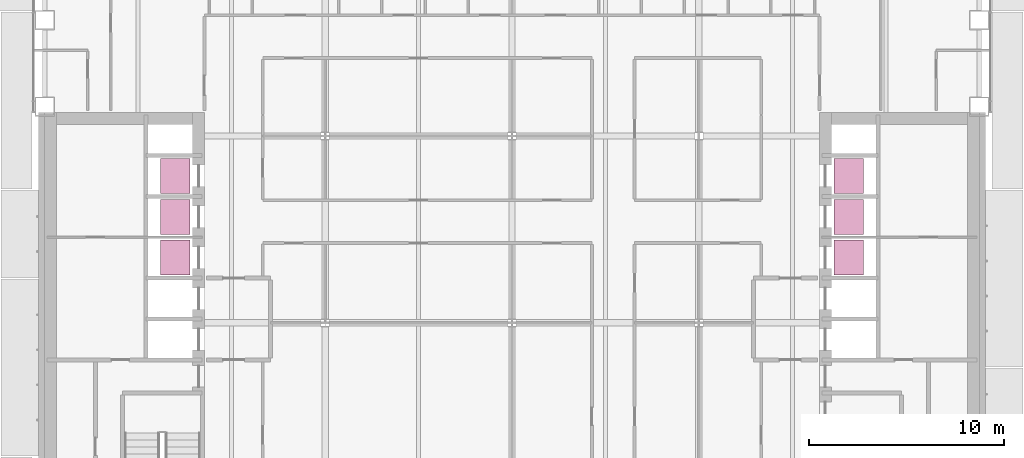
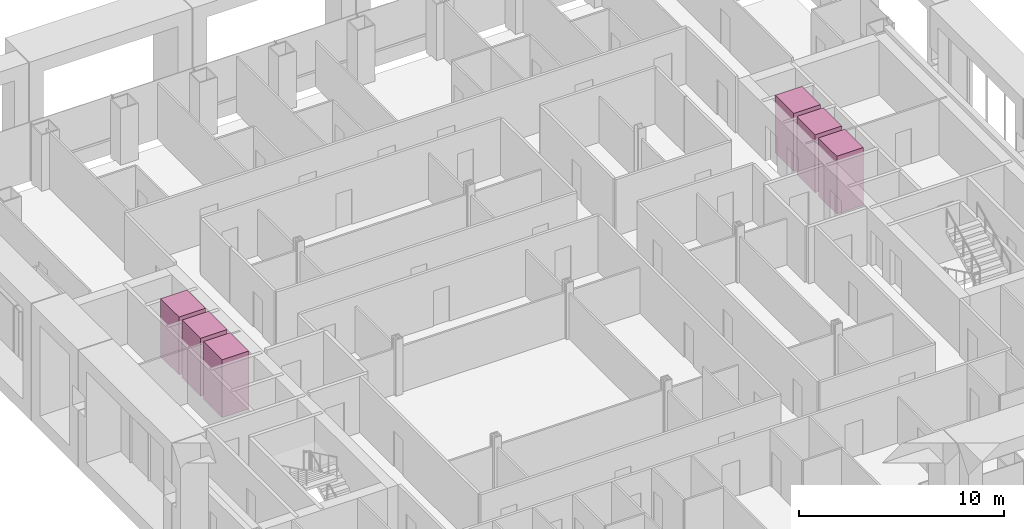
# One storey, part 25 of 25: 6 transport elements.
"""IFC4 building model written with IfcOpenShell, lengths in metres."""

import ifcopenshell
import ifcopenshell.guid

model = None  # the IFC model being written
_history = None  # IfcOwnerHistory: only IFC2X3 demands one
_inside = {}  # id of a spatial element -> (the spatial element, [elements in it])
_under = {}  # id of a project, library or spatial element -> (it, [spatial elements below it])
_declared = {}  # id of a project -> (the project, [libraries it declares])
_typed = {}  # id of a type object -> (the type object, [elements of that type])
_made_of = {}  # id of a material, layer set ... -> (it, [elements and type objects made of it])


def new_model(schema):
    """Start an empty IFC model of exactly this schema.

    Asked for "IFC4X3", IfcOpenShell would pick the latest addendum, in which some entities
    have other attributes; the version numbers below select the first issue.
    IFC2X3 requires an IfcOwnerHistory on every rooted entity: one is made here for all.
    """
    global model, _history
    if schema == "IFC4X3":
        model = ifcopenshell.file(schema_version=(4, 3, 0, 0))
    else:
        model = ifcopenshell.file(schema=schema)
    _inside.clear()
    _under.clear()
    _declared.clear()
    _typed.clear()
    _made_of.clear()
    _history = None
    if model.schema == "IFC2X3":
        org = make("IfcOrganization", Name="unknown")
        user = make(
            "IfcPersonAndOrganization",
            ThePerson=make("IfcPerson", FamilyName="unknown"),
            TheOrganization=org,
        )
        app = make(
            "IfcApplication",
            ApplicationDeveloper=org,
            Version="unknown",
            ApplicationFullName="unknown",
            ApplicationIdentifier="unknown",
        )
        _history = make(
            "IfcOwnerHistory",
            OwningUser=user,
            OwningApplication=app,
            ChangeAction="ADDED",
            CreationDate=0,
        )
    return model


def make(cls, **values):
    """One entity of the class cls with the attributes given. An attribute that is None is left unset."""
    return model.create_entity(
        cls, **{name: value for name, value in values.items() if value is not None}
    )


def rooted(cls, **values):
    """An entity with a GlobalId (a new one), such as an element, a storey or a relation."""
    return make(cls, GlobalId=ifcopenshell.guid.new(), OwnerHistory=_history, **values)


def si_unit(unit_type, name, prefix=None):
    """IfcSIUnit, for example si_unit("LENGTHUNIT", "METRE", prefix="MILLI")."""
    return make("IfcSIUnit", UnitType=unit_type, Prefix=prefix, Name=name)


def assignment(units):
    """IfcUnitAssignment: the units of a project."""
    return None if units is None else make("IfcUnitAssignment", Units=units)


def point(xyz):
    """IfcCartesianPoint."""
    return None if xyz is None else make("IfcCartesianPoint", Coordinates=xyz)


def direction(xyz):
    """IfcDirection."""
    return None if xyz is None else make("IfcDirection", DirectionRatios=xyz)


def frame(location, z_axis=None, x_axis=None):
    """IfcAxis2Placement3D, a coordinate frame: its origin and axes. An axis left out is left unset."""
    return make(
        "IfcAxis2Placement3D",
        Location=point(location),
        Axis=direction(z_axis),
        RefDirection=direction(x_axis),
    )


def frame_2d(location, x_axis=None):
    """IfcAxis2Placement2D, a coordinate frame in the plane: its origin and x axis."""
    return make(
        "IfcAxis2Placement2D", Location=point(location), RefDirection=direction(x_axis)
    )


def origin():
    """The frame at (0, 0, 0) with its axes left unset."""
    return frame((0.0, 0.0, 0.0))


def origin_2d():
    """The frame at (0, 0) in the plane with its x axis left unset."""
    return frame_2d((0.0, 0.0))


def place(relative_to, where):
    """IfcLocalPlacement: puts the frame where relative to a parent placement (None: the world)."""
    return make(
        "IfcLocalPlacement", PlacementRelTo=relative_to, RelativePlacement=where
    )


def context(
    kind, dimensions, precision=None, world=None, true_north=None, identifier=None
):
    """IfcGeometricRepresentationContext, for example the 3D "Model" context."""
    return make(
        "IfcGeometricRepresentationContext",
        ContextIdentifier=identifier,
        ContextType=kind,
        CoordinateSpaceDimension=dimensions,
        Precision=precision,
        WorldCoordinateSystem=world,
        TrueNorth=true_north,
    )


def subcontext(parent, identifier, kind, view, scale=None):
    """IfcGeometricRepresentationSubContext, for example "Body" below "Model"."""
    return make(
        "IfcGeometricRepresentationSubContext",
        ContextIdentifier=identifier,
        ContextType=kind,
        ParentContext=parent,
        TargetScale=scale,
        TargetView=view,
    )


def project(units=None, contexts=None):
    """IfcProject with its units and contexts."""
    return rooted(
        "IfcProject",
        Name="project",
        RepresentationContexts=contexts,
        UnitsInContext=assignment(units),
    )


def spatial(cls, under=None, at=None, **own):
    """A site, building, storey or space (cls), placed at a placement, below another one or the project."""
    s = rooted(cls, ObjectPlacement=at, **own)
    if under is not None:
        _under.setdefault(under.id(), (under, []))[1].append(s)
    return s


def profile(cls, at=None, kind="AREA", **sizes):
    """A parametric profile (cls). Its sizes go by their IFC names, for example OverallWidth=200.0."""
    return make(cls, ProfileType=kind, Position=at, **sizes)


def rectangle(**sizes):
    """IfcRectangleProfileDef."""
    return profile("IfcRectangleProfileDef", **sizes)


def extrude(swept, where, along, depth):
    """IfcExtrudedAreaSolid: the profile swept, set in the frame where, extruded along a direction by depth."""
    return make(
        "IfcExtrudedAreaSolid",
        SweptArea=swept,
        Position=where,
        ExtrudedDirection=direction(along),
        Depth=depth,
    )


def shape(context_of_items, identifier, shape_type, items):
    """IfcShapeRepresentation: the items that make up one representation, for example the "Body"."""
    return make(
        "IfcShapeRepresentation",
        ContextOfItems=context_of_items,
        RepresentationIdentifier=identifier,
        RepresentationType=shape_type,
        Items=items,
    )


def material(Name=None, Category=None):
    """IfcMaterial."""
    return make("IfcMaterial", Name=Name, Category=Category)


def made_of(thing, what):
    """Note that an element or type object is made of a material, layer set ...; save() writes the relation."""
    if what is not None:
        _made_of.setdefault(what.id(), (what, []))[1].append(thing)
    return thing


def type_object(cls, material=None, **own):
    """A type object (cls), such as IfcWallType, which elements share."""
    return made_of(rooted(cls, **own), material)


def element(
    cls,
    number,
    at=None,
    inside=None,
    cuts=None,
    type_object=None,
    material=None,
    context=None,
    identifier="Body",
    shape_type=None,
    held_by="IfcProductDefinitionShape",
    body=None,
    shapes=None,
    **own,
):
    """One element of the class cls, such as IfcWall. Its Tag is "e" and its number.

    at: its placement. inside: the storey or other place that contains it. cuts: it is an
    opening in that element (IfcRelVoidsElement). A single representation is given by context,
    identifier, shape_type and body (its items); several are given by shapes. held_by: the class
    of the entity that holds the representations. save() writes the other relations.
    """
    e = rooted(cls, Tag="e%d" % number, ObjectPlacement=at, **own)
    if body is not None:
        shapes = [shape(context, identifier, shape_type, body)]
    if shapes is not None:
        e.Representation = make(held_by, Representations=shapes)
    if inside is not None:
        _inside.setdefault(inside.id(), (inside, []))[1].append(e)
    if cuts is not None:
        rooted(
            "IfcRelVoidsElement", RelatingBuildingElement=cuts, RelatedOpeningElement=e
        )
    if type_object is not None:
        _typed.setdefault(type_object.id(), (type_object, []))[1].append(e)
    return made_of(e, material)


def aggregate(whole, parts):
    """IfcRelAggregates: a whole, such as a stair, and the parts it consists of."""
    return rooted("IfcRelAggregates", RelatingObject=whole, RelatedObjects=parts)


def save(model, path):
    """Write the relations noted so far, then the file.

    IfcRelAggregates (storeys below a building ...), IfcRelContainedInSpatialStructure (elements
    in a storey), IfcRelDefinesByType, IfcRelAssociatesMaterial and IfcRelDeclares: one each for
    every whole, place, type object, material and project.
    """
    for whole, parts in _under.values():
        aggregate(whole, parts)
    for where, things in _inside.values():
        rooted(
            "IfcRelContainedInSpatialStructure",
            RelatedElements=things,
            RelatingStructure=where,
        )
    for kind, things in _typed.values():
        rooted("IfcRelDefinesByType", RelatedObjects=things, RelatingType=kind)
    for what, things in _made_of.values():
        rooted("IfcRelAssociatesMaterial", RelatedObjects=things, RelatingMaterial=what)
    for by, libraries in _declared.values():
        rooted("IfcRelDeclares", RelatingContext=by, RelatedDefinitions=libraries)
    model.write(path)


model = new_model("IFC4")

# Units and contexts
model_context = context("Model", 3, precision=1e-05, world=origin(), true_north=direction((0.0, 1.0)))
body_context = subcontext(model_context, "Body", "Model", "MODEL_VIEW")
ifc_project = project(units=[si_unit("LENGTHUNIT", "METRE"), si_unit("AREAUNIT", "SQUARE_METRE"), si_unit("VOLUMEUNIT", "CUBIC_METRE"), si_unit("PLANEANGLEUNIT", "RADIAN"), si_unit("MASSUNIT", "GRAM", prefix="KILO")], contexts=[model_context])

# Site, building, storey
site_placement = place(None, origin())
site = spatial("IfcSite", under=ifc_project, at=site_placement, CompositionType="ELEMENT")
building_placement = place(site_placement, origin())
building = spatial("IfcBuilding", under=site, at=building_placement, Name="Cobrizo Arcos Hotel Tower", CompositionType="ELEMENT")
storey_placement = place(building_placement, frame((0.0, 0.0, 53.0)))
storey = spatial("IfcBuildingStorey", under=building, at=storey_placement, Name="L11", CompositionType="ELEMENT", Elevation=53.0)

# Transport elements
ifc_material = material(Name="Stainless steel car", Category="steel")
transport_element_type = type_object("IfcTransportElementType", Name="Lift car Low 1.8x1.5", PredefinedType="ELEVATOR", material=ifc_material)
for number, where, z_axis, x_axis, name in (
    (1, (-17.300048828125, 3.35009765625, 0.0), (0.0, 0.0, 1.0), (1.0, 0.0, 0.0), "Low-rise passenger lift W1"),
    (2, (-17.300048828125, 5.449951171875, 0.0), (0.0, 0.0, 1.0), (1.0, 0.0, 0.0), "Low-rise passenger lift W2"),
    (3, (-17.300048828125, 7.550048828125, 0.0), (0.0, 0.0, 1.0), (1.0, 0.0, 0.0), "Low-rise passenger lift W3"),
    (4, (17.300048828125, 3.35009765625, 0.0), (0.0, 0.0, 1.0), (1.0, 0.0, 0.0), "Low-rise passenger lift E1"),
    (5, (17.300048828125, 5.449951171875, 0.0), (0.0, 0.0, 1.0), (1.0, 0.0, 0.0), "Low-rise passenger lift E2"),
    (6, (17.300048828125, 7.550048828125, 0.0), (0.0, 0.0, 1.0), (1.0, 0.0, 0.0), "Low-rise passenger lift E3"),
):
    element("IfcTransportElement", number, at=place(storey_placement, frame(where, z_axis=z_axis, x_axis=x_axis)), inside=storey, type_object=transport_element_type, Name=name, PredefinedType="ELEVATOR", context=body_context, shape_type="SweptSolid", body=[
        extrude(rectangle(XDim=1.5, YDim=1.800048828125, at=origin_2d()), origin(), (0.0, 0.0, 1.0), 3.449951171875),
    ])

save(model, "model.ifc")
